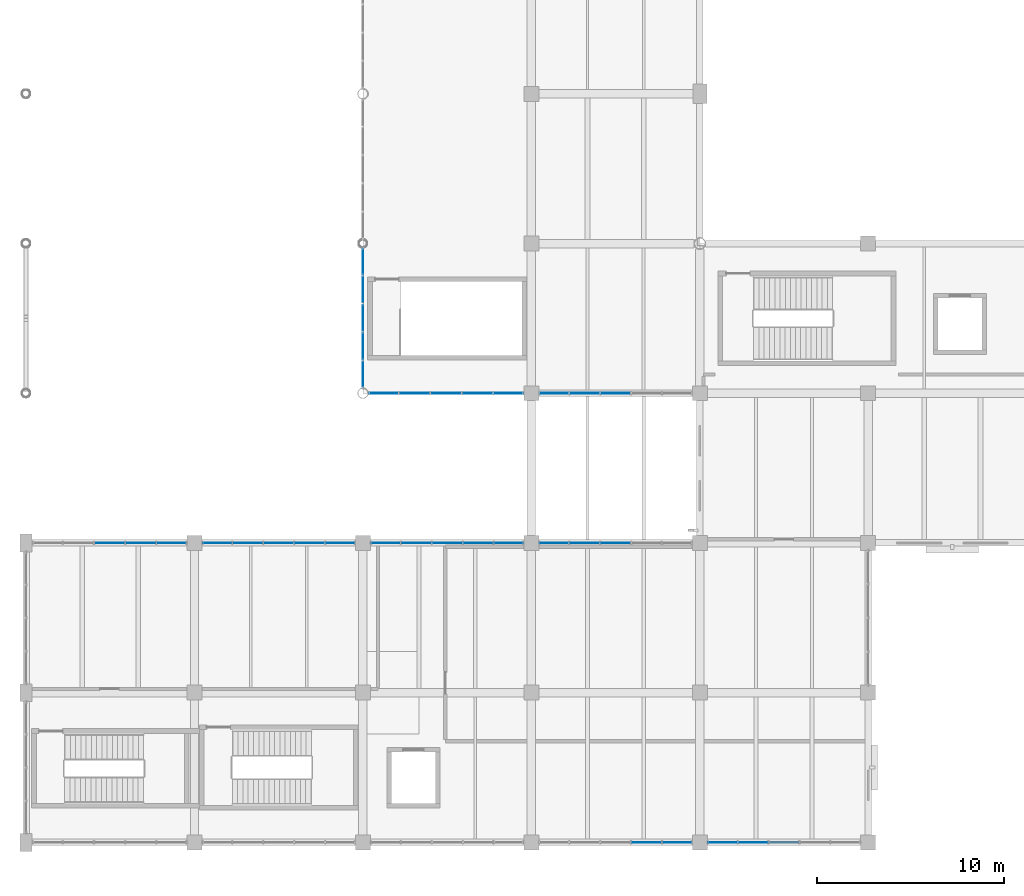
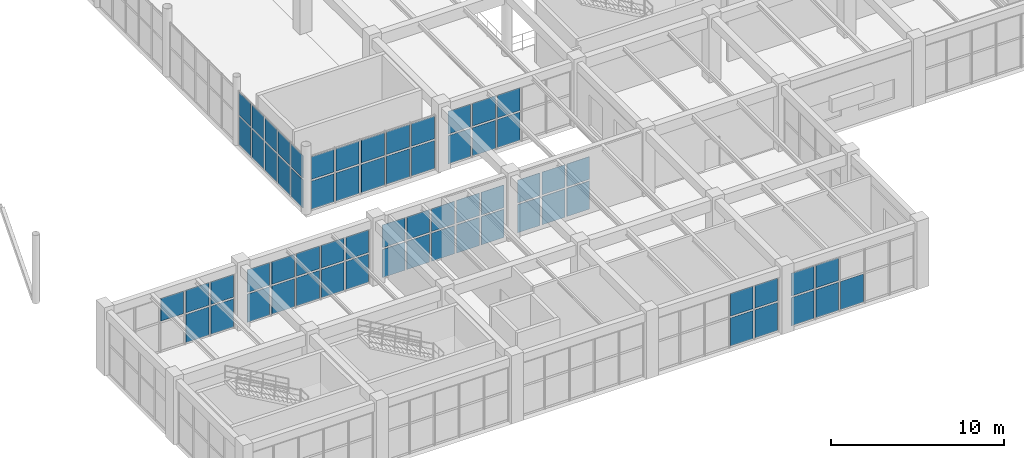
# One storey, part 139 of 178: 66 plates, 9 elements without a shape of their own.
"""IFC4 building model written with IfcOpenShell, lengths in metres."""

from ifc_helpers import new_model, si_unit, derived_unit, direction, frame, origin, origin_2d, place, context, subcontext, project, spatial, rectangle, extrude, material, layer, layer_set, type_object, element, aggregate, save


model = new_model("IFC4")

# Units and contexts
model_context = context("Model", 3, precision=1e-05, world=origin(), true_north=direction((0.0, 1.0)))
body_context = subcontext(model_context, "Body", "Model", "MODEL_VIEW")
ifc_project = project(units=[si_unit("LENGTHUNIT", "METRE"), si_unit("AREAUNIT", "SQUARE_METRE"), si_unit("VOLUMEUNIT", "CUBIC_METRE"), si_unit("PLANEANGLEUNIT", "RADIAN"), si_unit("MASSUNIT", "GRAM", prefix="KILO"), derived_unit("THERMALTRANSMITTANCEUNIT", [(si_unit("MASSUNIT", "GRAM", prefix="KILO"), 1), (si_unit("TIMEUNIT", "SECOND"), -3), (si_unit("THERMODYNAMICTEMPERATUREUNIT", "KELVIN"), -1)])], contexts=[model_context])

# Site, building, storey
site_placement = place(None, origin())
site = spatial("IfcSite", under=ifc_project, at=site_placement, CompositionType="ELEMENT")
building_placement = place(site_placement, origin())
building = spatial("IfcBuilding", under=site, at=building_placement, Name="Zhenchuan Archway Interchange", CompositionType="ELEMENT")
storey_placement = place(building_placement, frame((0.0, 0.0, 5.39990234375)))
storey = spatial("IfcBuildingStorey", under=building, at=storey_placement, Name="L01", CompositionType="ELEMENT", Elevation=5.39990234375)

# Curtain wall, plates
ifc_material_1 = material(Name="Anodised Aluminium", Category="aluminium")
curtain_wall_type_1 = type_object("IfcCurtainWallType", Name="CW_UNIT_4", PredefinedType="NOTDEFINED", material=ifc_material_1)
curtain_wall_1_placement = place(storey_placement, origin())
curtain_wall_1 = element("IfcCurtainWall", 1, at=curtain_wall_1_placement, inside=storey, type_object=curtain_wall_type_1, Name="Unitised curtain wall CW:L01:027", PredefinedType="NOTDEFINED")
ifc_material_2 = material(Name="Double Low-E Insulated Glazing", Category="glass")
ifc_layer_1 = layer(ifc_material_2, 0.028076171875)
ifc_layer_set_1 = layer_set([ifc_layer_1], Name="Double Low-E Insulated Glazing")
plate_type_1 = type_object("IfcPlateType", Name="CW_GLZ_1", PredefinedType="CURTAIN_PANEL", material=ifc_layer_set_1)
plate_1_placement = place(storey_placement, frame((31.5, 24.0, 0.080078125), z_axis=(0.0, 0.0, 1.0), x_axis=(-1.0, 0.0, 0.0)))
plate_1 = element("IfcPlate", 2, at=plate_1_placement, type_object=plate_type_1, Name="CW:L01:027 lower glazing panel 2", PredefinedType="CURTAIN_PANEL", context=body_context, shape_type="SweptSolid", body=[
    extrude(rectangle(XDim=1.5126953125, YDim=0.028076171875, at=origin_2d()), origin(), (0.0, 0.0, 1.0), 1.98291015625),
])
plate_2_placement = place(storey_placement, frame((29.84716796875, 24.0, 0.080078125), z_axis=(0.0, 0.0, 1.0), x_axis=(-1.0, 0.0, 0.0)))
plate_2 = element("IfcPlate", 3, at=plate_2_placement, type_object=plate_type_1, Name="CW:L01:027 lower glazing panel 3", PredefinedType="CURTAIN_PANEL", context=body_context, shape_type="SweptSolid", body=[
    extrude(rectangle(XDim=1.5126953125, YDim=0.028076171875, at=origin_2d()), origin(), (0.0, 0.0, 1.0), 1.98291015625),
])
plate_3_placement = place(storey_placement, frame((28.204345703125, 24.0, 0.080078125), z_axis=(0.0, 0.0, 1.0), x_axis=(-1.0, 0.0, 0.0)))
plate_3 = element("IfcPlate", 4, at=plate_3_placement, type_object=plate_type_1, Name="CW:L01:027 lower glazing panel 4", PredefinedType="CURTAIN_PANEL", context=body_context, shape_type="SweptSolid", body=[
    extrude(rectangle(XDim=1.492919921875, YDim=0.028076171875, at=origin_2d()), origin(), (0.0, 0.0, 1.0), 1.98291015625),
])

curtain_wall_type_2 = type_object("IfcCurtainWallType", Name="CW_UNIT_1", PredefinedType="NOTDEFINED", material=ifc_material_1)
curtain_wall_2_placement = place(storey_placement, origin())
curtain_wall_2 = element("IfcCurtainWall", 5, at=curtain_wall_2_placement, inside=storey, type_object=curtain_wall_type_2, Name="Unitised curtain wall CW:L01:028", PredefinedType="NOTDEFINED")
plate_4_placement = place(storey_placement, frame((25.783447265625, 24.0, 0.080078125), z_axis=(0.0, 0.0, 1.0), x_axis=(-1.0, 0.0, 0.0)))
plate_4 = element("IfcPlate", 6, at=plate_4_placement, type_object=plate_type_1, Name="CW:L01:028 lower glazing panel 0", PredefinedType="CURTAIN_PANEL", context=body_context, shape_type="SweptSolid", body=[
    extrude(rectangle(XDim=1.51708984375, YDim=0.028076171875, at=origin_2d()), origin(), (0.0, 0.0, 1.0), 1.98291015625),
])
plate_5_placement = place(storey_placement, frame((24.116455078125, 24.0, 0.080078125), z_axis=(0.0, 0.0, 1.0), x_axis=(-1.0, 0.0, 0.0)))
plate_5 = element("IfcPlate", 7, at=plate_5_placement, type_object=plate_type_1, Name="CW:L01:028 lower glazing panel 1", PredefinedType="CURTAIN_PANEL", context=body_context, shape_type="SweptSolid", body=[
    extrude(rectangle(XDim=1.537109375, YDim=0.028076171875, at=origin_2d()), origin(), (0.0, 0.0, 1.0), 1.98291015625),
])
plate_6_placement = place(storey_placement, frame((22.439208984375, 24.0, 0.080078125), z_axis=(0.0, 0.0, 1.0), x_axis=(-1.0, 0.0, 0.0)))
plate_6 = element("IfcPlate", 8, at=plate_6_placement, type_object=plate_type_1, Name="CW:L01:028 lower glazing panel 2", PredefinedType="CURTAIN_PANEL", context=body_context, shape_type="SweptSolid", body=[
    extrude(rectangle(XDim=1.537109375, YDim=0.028076171875, at=origin_2d()), origin(), (0.0, 0.0, 1.0), 1.98291015625),
])
plate_7_placement = place(storey_placement, frame((20.76220703125, 24.0, 0.080078125), z_axis=(0.0, 0.0, 1.0), x_axis=(-1.0, 0.0, 0.0)))
plate_7 = element("IfcPlate", 9, at=plate_7_placement, type_object=plate_type_1, Name="CW:L01:028 lower glazing panel 3", PredefinedType="CURTAIN_PANEL", context=body_context, shape_type="SweptSolid", body=[
    extrude(rectangle(XDim=1.537109375, YDim=0.028076171875, at=origin_2d()), origin(), (0.0, 0.0, 1.0), 1.98291015625),
])
plate_8_placement = place(storey_placement, frame((19.09521484375, 24.0, 0.080078125), z_axis=(0.0, 0.0, 1.0), x_axis=(-1.0, 0.0, 0.0)))
plate_8 = element("IfcPlate", 10, at=plate_8_placement, type_object=plate_type_1, Name="CW:L01:028 lower glazing panel 4", PredefinedType="CURTAIN_PANEL", context=body_context, shape_type="SweptSolid", body=[
    extrude(rectangle(XDim=1.51708984375, YDim=0.028076171875, at=origin_2d()), origin(), (0.0, 0.0, 1.0), 1.98291015625),
])

curtain_wall_type_3 = type_object("IfcCurtainWallType", Name="CW_UNIT_2", PredefinedType="NOTDEFINED", material=ifc_material_1)
curtain_wall_3_placement = place(storey_placement, origin())
curtain_wall_3 = element("IfcCurtainWall", 11, at=curtain_wall_3_placement, inside=storey, type_object=curtain_wall_type_3, Name="Unitised curtain wall CW:L01:029", PredefinedType="NOTDEFINED")
plate_9_placement = place(storey_placement, frame((18.0, 25.01220703125, 0.080078125), z_axis=(0.0, 0.0, 1.0), x_axis=(0.0, 1.0, 0.0)))
plate_9 = element("IfcPlate", 12, at=plate_9_placement, type_object=plate_type_1, Name="CW:L01:029 lower glazing panel 0", PredefinedType="CURTAIN_PANEL", context=body_context, shape_type="SweptSolid", body=[
    extrude(rectangle(XDim=1.3515625, YDim=0.028076171875, at=origin_2d()), origin(), (0.0, 0.0, 1.0), 1.98291015625),
])
plate_10_placement = place(storey_placement, frame((18.0, 26.513916015625, 0.080078125), z_axis=(0.0, 0.0, 1.0), x_axis=(0.0, 1.0, 0.0)))
plate_10 = element("IfcPlate", 13, at=plate_10_placement, type_object=plate_type_1, Name="CW:L01:029 lower glazing panel 1", PredefinedType="CURTAIN_PANEL", context=body_context, shape_type="SweptSolid", body=[
    extrude(rectangle(XDim=1.37158203125, YDim=0.028076171875, at=origin_2d()), origin(), (0.0, 0.0, 1.0), 1.98291015625),
])
plate_11_placement = place(storey_placement, frame((18.0, 28.025390625, 0.080078125), z_axis=(0.0, 0.0, 1.0), x_axis=(0.0, 1.0, 0.0)))
plate_11 = element("IfcPlate", 14, at=plate_11_placement, type_object=plate_type_1, Name="CW:L01:029 lower glazing panel 2", PredefinedType="CURTAIN_PANEL", context=body_context, shape_type="SweptSolid", body=[
    extrude(rectangle(XDim=1.37158203125, YDim=0.028076171875, at=origin_2d()), origin(), (0.0, 0.0, 1.0), 1.98291015625),
])
plate_12_placement = place(storey_placement, frame((18.0, 29.537109375, 0.080078125), z_axis=(0.0, 0.0, 1.0), x_axis=(0.0, 1.0, 0.0)))
plate_12 = element("IfcPlate", 15, at=plate_12_placement, type_object=plate_type_1, Name="CW:L01:029 lower glazing panel 3", PredefinedType="CURTAIN_PANEL", context=body_context, shape_type="SweptSolid", body=[
    extrude(rectangle(XDim=1.37158203125, YDim=0.028076171875, at=origin_2d()), origin(), (0.0, 0.0, 1.0), 1.98291015625),
])
plate_13_placement = place(storey_placement, frame((18.0, 31.038818359375, 0.080078125), z_axis=(0.0, 0.0, 1.0), x_axis=(0.0, 1.0, 0.0)))
plate_13 = element("IfcPlate", 16, at=plate_13_placement, type_object=plate_type_1, Name="CW:L01:029 lower glazing panel 4", PredefinedType="CURTAIN_PANEL", context=body_context, shape_type="SweptSolid", body=[
    extrude(rectangle(XDim=1.3515625, YDim=0.028076171875, at=origin_2d()), origin(), (0.0, 0.0, 1.0), 1.98291015625),
])

curtain_wall_type_4 = type_object("IfcCurtainWallType", Name="CW_UNIT_3", PredefinedType="NOTDEFINED", material=ifc_material_1)
curtain_wall_4_placement = place(storey_placement, origin())
curtain_wall_4 = element("IfcCurtainWall", 17, at=curtain_wall_4_placement, inside=storey, type_object=curtain_wall_type_4, Name="Unitised curtain wall CW:L01:082", PredefinedType="NOTDEFINED")
plate_14_placement = place(storey_placement, frame((40.5, 0.0, 0.080078125), z_axis=(0.0, 0.0, 1.0), x_axis=(-1.0, 0.0, 0.0)))
plate_14 = element("IfcPlate", 18, at=plate_14_placement, type_object=plate_type_1, Name="CW:L01:082 lower glazing panel 2", PredefinedType="CURTAIN_PANEL", context=body_context, shape_type="SweptSolid", body=[
    extrude(rectangle(XDim=1.5126953125, YDim=0.028076171875, at=origin_2d()), origin(), (0.0, 0.0, 1.0), 1.98291015625),
])
plate_15_placement = place(storey_placement, frame((38.84716796875, 0.0, 0.080078125), z_axis=(0.0, 0.0, 1.0), x_axis=(-1.0, 0.0, 0.0)))
plate_15 = element("IfcPlate", 19, at=plate_15_placement, type_object=plate_type_1, Name="CW:L01:082 lower glazing panel 3", PredefinedType="CURTAIN_PANEL", context=body_context, shape_type="SweptSolid", body=[
    extrude(rectangle(XDim=1.5126953125, YDim=0.028076171875, at=origin_2d()), origin(), (0.0, 0.0, 1.0), 1.98291015625),
])
plate_16_placement = place(storey_placement, frame((37.204345703125, 0.0, 0.080078125), z_axis=(0.0, 0.0, 1.0), x_axis=(-1.0, 0.0, 0.0)))
plate_16 = element("IfcPlate", 20, at=plate_16_placement, type_object=plate_type_1, Name="CW:L01:082 lower glazing panel 4", PredefinedType="CURTAIN_PANEL", context=body_context, shape_type="SweptSolid", body=[
    extrude(rectangle(XDim=1.492919921875, YDim=0.028076171875, at=origin_2d()), origin(), (0.0, 0.0, 1.0), 1.98291015625),
])

curtain_wall_5_placement = place(storey_placement, origin())
curtain_wall_5 = element("IfcCurtainWall", 21, at=curtain_wall_5_placement, inside=storey, type_object=curtain_wall_type_1, Name="Unitised curtain wall CW:L01:083", PredefinedType="NOTDEFINED")
plate_17_placement = place(storey_placement, frame((34.795654296875, 0.0, 0.080078125), z_axis=(0.0, 0.0, 1.0), x_axis=(-1.0, 0.0, 0.0)))
plate_17 = element("IfcPlate", 22, at=plate_17_placement, type_object=plate_type_1, Name="CW:L01:083 lower glazing panel 0", PredefinedType="CURTAIN_PANEL", context=body_context, shape_type="SweptSolid", body=[
    extrude(rectangle(XDim=1.492919921875, YDim=0.028076171875, at=origin_2d()), origin(), (0.0, 0.0, 1.0), 1.98291015625),
])
plate_18_placement = place(storey_placement, frame((33.15283203125, 0.0, 0.080078125), z_axis=(0.0, 0.0, 1.0), x_axis=(-1.0, 0.0, 0.0)))
plate_18 = element("IfcPlate", 23, at=plate_18_placement, type_object=plate_type_1, Name="CW:L01:083 lower glazing panel 1", PredefinedType="CURTAIN_PANEL", context=body_context, shape_type="SweptSolid", body=[
    extrude(rectangle(XDim=1.5126953125, YDim=0.028076171875, at=origin_2d()), origin(), (0.0, 0.0, 1.0), 1.98291015625),
])

curtain_wall_6_placement = place(storey_placement, origin())
curtain_wall_6 = element("IfcCurtainWall", 24, at=curtain_wall_6_placement, inside=storey, type_object=curtain_wall_type_3, Name="Unitised curtain wall CW:L01:089", PredefinedType="NOTDEFINED")
plate_19_placement = place(storey_placement, frame((6.13037109375, 16.0, 0.080078125), z_axis=(0.0, 0.0, 1.0), x_axis=(1.0, 0.0, 0.0)))
plate_19 = element("IfcPlate", 25, at=plate_19_placement, type_object=plate_type_1, Name="CW:L01:089 lower glazing panel 3", PredefinedType="CURTAIN_PANEL", context=body_context, shape_type="SweptSolid", body=[
    extrude(rectangle(XDim=1.52783203125, YDim=0.028076171875, at=origin_2d()), origin(), (0.0, 0.0, 1.0), 1.98291015625),
])
plate_20_placement = place(storey_placement, frame((7.7880859375, 16.0, 0.080078125), z_axis=(0.0, 0.0, 1.0), x_axis=(1.0, 0.0, 0.0)))
plate_20 = element("IfcPlate", 26, at=plate_20_placement, type_object=plate_type_1, Name="CW:L01:089 lower glazing panel 4", PredefinedType="CURTAIN_PANEL", context=body_context, shape_type="SweptSolid", body=[
    extrude(rectangle(XDim=1.5078125, YDim=0.028076171875, at=origin_2d()), origin(), (0.0, 0.0, 1.0), 1.98291015625),
])

curtain_wall_7_placement = place(storey_placement, origin())
curtain_wall_7 = element("IfcCurtainWall", 27, at=curtain_wall_7_placement, inside=storey, type_object=curtain_wall_type_4, Name="Unitised curtain wall CW:L01:090", PredefinedType="NOTDEFINED")
plate_21_placement = place(storey_placement, frame((10.204345703125, 16.0, 0.080078125), z_axis=(0.0, 0.0, 1.0), x_axis=(1.0, 0.0, 0.0)))
plate_21 = element("IfcPlate", 28, at=plate_21_placement, type_object=plate_type_1, Name="CW:L01:090 lower glazing panel 0", PredefinedType="CURTAIN_PANEL", context=body_context, shape_type="SweptSolid", body=[
    extrude(rectangle(XDim=1.492919921875, YDim=0.028076171875, at=origin_2d()), origin(), (0.0, 0.0, 1.0), 1.98291015625),
])
plate_22_placement = place(storey_placement, frame((11.84716796875, 16.0, 0.080078125), z_axis=(0.0, 0.0, 1.0), x_axis=(1.0, 0.0, 0.0)))
plate_22 = element("IfcPlate", 29, at=plate_22_placement, type_object=plate_type_1, Name="CW:L01:090 lower glazing panel 1", PredefinedType="CURTAIN_PANEL", context=body_context, shape_type="SweptSolid", body=[
    extrude(rectangle(XDim=1.5126953125, YDim=0.028076171875, at=origin_2d()), origin(), (0.0, 0.0, 1.0), 1.98291015625),
])
plate_23_placement = place(storey_placement, frame((13.5, 16.0, 0.080078125), z_axis=(0.0, 0.0, 1.0), x_axis=(1.0, 0.0, 0.0)))
plate_23 = element("IfcPlate", 30, at=plate_23_placement, type_object=plate_type_1, Name="CW:L01:090 lower glazing panel 2", PredefinedType="CURTAIN_PANEL", context=body_context, shape_type="SweptSolid", body=[
    extrude(rectangle(XDim=1.5126953125, YDim=0.028076171875, at=origin_2d()), origin(), (0.0, 0.0, 1.0), 1.98291015625),
])
plate_24_placement = place(storey_placement, frame((15.15283203125, 16.0, 0.080078125), z_axis=(0.0, 0.0, 1.0), x_axis=(1.0, 0.0, 0.0)))
plate_24 = element("IfcPlate", 31, at=plate_24_placement, type_object=plate_type_1, Name="CW:L01:090 lower glazing panel 3", PredefinedType="CURTAIN_PANEL", context=body_context, shape_type="SweptSolid", body=[
    extrude(rectangle(XDim=1.5126953125, YDim=0.028076171875, at=origin_2d()), origin(), (0.0, 0.0, 1.0), 1.98291015625),
])
plate_25_placement = place(storey_placement, frame((16.795654296875, 16.0, 0.080078125), z_axis=(0.0, 0.0, 1.0), x_axis=(1.0, 0.0, 0.0)))
plate_25 = element("IfcPlate", 32, at=plate_25_placement, type_object=plate_type_1, Name="CW:L01:090 lower glazing panel 4", PredefinedType="CURTAIN_PANEL", context=body_context, shape_type="SweptSolid", body=[
    extrude(rectangle(XDim=1.492919921875, YDim=0.028076171875, at=origin_2d()), origin(), (0.0, 0.0, 1.0), 1.98291015625),
])

curtain_wall_8_placement = place(storey_placement, origin())
curtain_wall_8 = element("IfcCurtainWall", 33, at=curtain_wall_8_placement, inside=storey, type_object=curtain_wall_type_1, Name="Unitised curtain wall CW:L01:091", PredefinedType="NOTDEFINED")
plate_26_placement = place(storey_placement, frame((19.204345703125, 16.0, 0.080078125), z_axis=(0.0, 0.0, 1.0), x_axis=(1.0, 0.0, 0.0)))
plate_26 = element("IfcPlate", 34, at=plate_26_placement, type_object=plate_type_1, Name="CW:L01:091 lower glazing panel 0", PredefinedType="CURTAIN_PANEL", context=body_context, shape_type="SweptSolid", body=[
    extrude(rectangle(XDim=1.492919921875, YDim=0.028076171875, at=origin_2d()), origin(), (0.0, 0.0, 1.0), 1.98291015625),
])
plate_27_placement = place(storey_placement, frame((20.84716796875, 16.0, 0.080078125), z_axis=(0.0, 0.0, 1.0), x_axis=(1.0, 0.0, 0.0)))
plate_27 = element("IfcPlate", 35, at=plate_27_placement, type_object=plate_type_1, Name="CW:L01:091 lower glazing panel 1", PredefinedType="CURTAIN_PANEL", context=body_context, shape_type="SweptSolid", body=[
    extrude(rectangle(XDim=1.5126953125, YDim=0.028076171875, at=origin_2d()), origin(), (0.0, 0.0, 1.0), 1.98291015625),
])
plate_28_placement = place(storey_placement, frame((22.5, 16.0, 0.080078125), z_axis=(0.0, 0.0, 1.0), x_axis=(1.0, 0.0, 0.0)))
plate_28 = element("IfcPlate", 36, at=plate_28_placement, type_object=plate_type_1, Name="CW:L01:091 lower glazing panel 2", PredefinedType="CURTAIN_PANEL", context=body_context, shape_type="SweptSolid", body=[
    extrude(rectangle(XDim=1.5126953125, YDim=0.028076171875, at=origin_2d()), origin(), (0.0, 0.0, 1.0), 1.98291015625),
])
plate_29_placement = place(storey_placement, frame((24.15283203125, 16.0, 0.080078125), z_axis=(0.0, 0.0, 1.0), x_axis=(1.0, 0.0, 0.0)))
plate_29 = element("IfcPlate", 37, at=plate_29_placement, type_object=plate_type_1, Name="CW:L01:091 lower glazing panel 3", PredefinedType="CURTAIN_PANEL", context=body_context, shape_type="SweptSolid", body=[
    extrude(rectangle(XDim=1.5126953125, YDim=0.028076171875, at=origin_2d()), origin(), (0.0, 0.0, 1.0), 1.98291015625),
])
plate_30_placement = place(storey_placement, frame((25.795654296875, 16.0, 0.080078125), z_axis=(0.0, 0.0, 1.0), x_axis=(1.0, 0.0, 0.0)))
plate_30 = element("IfcPlate", 38, at=plate_30_placement, type_object=plate_type_1, Name="CW:L01:091 lower glazing panel 4", PredefinedType="CURTAIN_PANEL", context=body_context, shape_type="SweptSolid", body=[
    extrude(rectangle(XDim=1.492919921875, YDim=0.028076171875, at=origin_2d()), origin(), (0.0, 0.0, 1.0), 1.98291015625),
])

curtain_wall_9_placement = place(storey_placement, origin())
curtain_wall_9 = element("IfcCurtainWall", 39, at=curtain_wall_9_placement, inside=storey, type_object=curtain_wall_type_2, Name="Unitised curtain wall CW:L01:092", PredefinedType="NOTDEFINED")
plate_31_placement = place(storey_placement, frame((28.204345703125, 16.0, 0.080078125), z_axis=(0.0, 0.0, 1.0), x_axis=(1.0, 0.0, 0.0)))
plate_31 = element("IfcPlate", 40, at=plate_31_placement, type_object=plate_type_1, Name="CW:L01:092 lower glazing panel 0", PredefinedType="CURTAIN_PANEL", context=body_context, shape_type="SweptSolid", body=[
    extrude(rectangle(XDim=1.492919921875, YDim=0.028076171875, at=origin_2d()), origin(), (0.0, 0.0, 1.0), 1.98291015625),
])
plate_32_placement = place(storey_placement, frame((29.84716796875, 16.0, 0.080078125), z_axis=(0.0, 0.0, 1.0), x_axis=(1.0, 0.0, 0.0)))
plate_32 = element("IfcPlate", 41, at=plate_32_placement, type_object=plate_type_1, Name="CW:L01:092 lower glazing panel 1", PredefinedType="CURTAIN_PANEL", context=body_context, shape_type="SweptSolid", body=[
    extrude(rectangle(XDim=1.5126953125, YDim=0.028076171875, at=origin_2d()), origin(), (0.0, 0.0, 1.0), 1.98291015625),
])
plate_33_placement = place(storey_placement, frame((31.5, 16.0, 0.080078125), z_axis=(0.0, 0.0, 1.0), x_axis=(1.0, 0.0, 0.0)))
plate_33 = element("IfcPlate", 42, at=plate_33_placement, type_object=plate_type_1, Name="CW:L01:092 lower glazing panel 2", PredefinedType="CURTAIN_PANEL", context=body_context, shape_type="SweptSolid", body=[
    extrude(rectangle(XDim=1.5126953125, YDim=0.028076171875, at=origin_2d()), origin(), (0.0, 0.0, 1.0), 1.98291015625),
])

# Plate
ifc_layer_2 = layer(ifc_material_2, 0.02587890625)
ifc_layer_set_2 = layer_set([ifc_layer_2], Name="Double Low-E Insulated Glazing")
plate_type_2 = type_object("IfcPlateType", Name="CW_GLZ_2", PredefinedType="CURTAIN_PANEL", material=ifc_layer_set_2)
plate_34_placement = place(storey_placement, frame((31.5, 24.0, 2.18310546875), z_axis=(0.0, 0.0, 1.0), x_axis=(-1.0, 0.0, 0.0)))
plate_34 = element("IfcPlate", 43, at=plate_34_placement, type_object=plate_type_2, Name="CW:L01:027 upper glazing panel 2", PredefinedType="CURTAIN_PANEL", context=body_context, shape_type="SweptSolid", body=[
    extrude(rectangle(XDim=1.5126953125, YDim=0.02587890625, at=origin_2d()), origin(), (0.0, 0.0, 1.0), 1.596923828125),
])

plate_35_placement = place(storey_placement, frame((29.84716796875, 24.0, 2.18310546875), z_axis=(0.0, 0.0, 1.0), x_axis=(-1.0, 0.0, 0.0)))
plate_35 = element("IfcPlate", 44, at=plate_35_placement, type_object=plate_type_2, Name="CW:L01:027 upper glazing panel 3", PredefinedType="CURTAIN_PANEL", context=body_context, shape_type="SweptSolid", body=[
    extrude(rectangle(XDim=1.5126953125, YDim=0.02587890625, at=origin_2d()), origin(), (0.0, 0.0, 1.0), 1.596923828125),
])

plate_36_placement = place(storey_placement, frame((28.204345703125, 24.0, 2.18310546875), z_axis=(0.0, 0.0, 1.0), x_axis=(-1.0, 0.0, 0.0)))
plate_36 = element("IfcPlate", 45, at=plate_36_placement, type_object=plate_type_2, Name="CW:L01:027 upper glazing panel 4", PredefinedType="CURTAIN_PANEL", context=body_context, shape_type="SweptSolid", body=[
    extrude(rectangle(XDim=1.492919921875, YDim=0.02587890625, at=origin_2d()), origin(), (0.0, 0.0, 1.0), 1.596923828125),
])

aggregate(curtain_wall_1, [plate_1, plate_34, plate_2, plate_35, plate_3, plate_36])

plate_37_placement = place(storey_placement, frame((25.783447265625, 24.0, 2.18310546875), z_axis=(0.0, 0.0, 1.0), x_axis=(-1.0, 0.0, 0.0)))
plate_37 = element("IfcPlate", 46, at=plate_37_placement, type_object=plate_type_2, Name="CW:L01:028 upper glazing panel 0", PredefinedType="CURTAIN_PANEL", context=body_context, shape_type="SweptSolid", body=[
    extrude(rectangle(XDim=1.51708984375, YDim=0.02587890625, at=origin_2d()), origin(), (0.0, 0.0, 1.0), 1.596923828125),
])

plate_38_placement = place(storey_placement, frame((24.116455078125, 24.0, 2.18310546875), z_axis=(0.0, 0.0, 1.0), x_axis=(-1.0, 0.0, 0.0)))
plate_38 = element("IfcPlate", 47, at=plate_38_placement, type_object=plate_type_2, Name="CW:L01:028 upper glazing panel 1", PredefinedType="CURTAIN_PANEL", context=body_context, shape_type="SweptSolid", body=[
    extrude(rectangle(XDim=1.537109375, YDim=0.02587890625, at=origin_2d()), origin(), (0.0, 0.0, 1.0), 1.596923828125),
])

plate_39_placement = place(storey_placement, frame((22.439208984375, 24.0, 2.18310546875), z_axis=(0.0, 0.0, 1.0), x_axis=(-1.0, 0.0, 0.0)))
plate_39 = element("IfcPlate", 48, at=plate_39_placement, type_object=plate_type_2, Name="CW:L01:028 upper glazing panel 2", PredefinedType="CURTAIN_PANEL", context=body_context, shape_type="SweptSolid", body=[
    extrude(rectangle(XDim=1.537109375, YDim=0.02587890625, at=origin_2d()), origin(), (0.0, 0.0, 1.0), 1.596923828125),
])

plate_40_placement = place(storey_placement, frame((20.76220703125, 24.0, 2.18310546875), z_axis=(0.0, 0.0, 1.0), x_axis=(-1.0, 0.0, 0.0)))
plate_40 = element("IfcPlate", 49, at=plate_40_placement, type_object=plate_type_2, Name="CW:L01:028 upper glazing panel 3", PredefinedType="CURTAIN_PANEL", context=body_context, shape_type="SweptSolid", body=[
    extrude(rectangle(XDim=1.537109375, YDim=0.02587890625, at=origin_2d()), origin(), (0.0, 0.0, 1.0), 1.596923828125),
])

plate_41_placement = place(storey_placement, frame((19.09521484375, 24.0, 2.18310546875), z_axis=(0.0, 0.0, 1.0), x_axis=(-1.0, 0.0, 0.0)))
plate_41 = element("IfcPlate", 50, at=plate_41_placement, type_object=plate_type_2, Name="CW:L01:028 upper glazing panel 4", PredefinedType="CURTAIN_PANEL", context=body_context, shape_type="SweptSolid", body=[
    extrude(rectangle(XDim=1.51708984375, YDim=0.02587890625, at=origin_2d()), origin(), (0.0, 0.0, 1.0), 1.596923828125),
])

aggregate(curtain_wall_2, [plate_4, plate_37, plate_5, plate_38, plate_6, plate_39, plate_7, plate_40, plate_8, plate_41])

plate_42_placement = place(storey_placement, frame((18.0, 25.01220703125, 2.18310546875), z_axis=(0.0, 0.0, 1.0), x_axis=(0.0, 1.0, 0.0)))
plate_42 = element("IfcPlate", 51, at=plate_42_placement, type_object=plate_type_2, Name="CW:L01:029 upper glazing panel 0", PredefinedType="CURTAIN_PANEL", context=body_context, shape_type="SweptSolid", body=[
    extrude(rectangle(XDim=1.3515625, YDim=0.02587890625, at=origin_2d()), origin(), (0.0, 0.0, 1.0), 1.596923828125),
])

plate_43_placement = place(storey_placement, frame((18.0, 26.513916015625, 2.18310546875), z_axis=(0.0, 0.0, 1.0), x_axis=(0.0, 1.0, 0.0)))
plate_43 = element("IfcPlate", 52, at=plate_43_placement, type_object=plate_type_2, Name="CW:L01:029 upper glazing panel 1", PredefinedType="CURTAIN_PANEL", context=body_context, shape_type="SweptSolid", body=[
    extrude(rectangle(XDim=1.37158203125, YDim=0.02587890625, at=origin_2d()), origin(), (0.0, 0.0, 1.0), 1.596923828125),
])

plate_44_placement = place(storey_placement, frame((18.0, 28.025390625, 2.18310546875), z_axis=(0.0, 0.0, 1.0), x_axis=(0.0, 1.0, 0.0)))
plate_44 = element("IfcPlate", 53, at=plate_44_placement, type_object=plate_type_2, Name="CW:L01:029 upper glazing panel 2", PredefinedType="CURTAIN_PANEL", context=body_context, shape_type="SweptSolid", body=[
    extrude(rectangle(XDim=1.37158203125, YDim=0.02587890625, at=origin_2d()), origin(), (0.0, 0.0, 1.0), 1.596923828125),
])

plate_45_placement = place(storey_placement, frame((18.0, 29.537109375, 2.18310546875), z_axis=(0.0, 0.0, 1.0), x_axis=(0.0, 1.0, 0.0)))
plate_45 = element("IfcPlate", 54, at=plate_45_placement, type_object=plate_type_2, Name="CW:L01:029 upper glazing panel 3", PredefinedType="CURTAIN_PANEL", context=body_context, shape_type="SweptSolid", body=[
    extrude(rectangle(XDim=1.37158203125, YDim=0.02587890625, at=origin_2d()), origin(), (0.0, 0.0, 1.0), 1.596923828125),
])

plate_46_placement = place(storey_placement, frame((18.0, 31.038818359375, 2.18310546875), z_axis=(0.0, 0.0, 1.0), x_axis=(0.0, 1.0, 0.0)))
plate_46 = element("IfcPlate", 55, at=plate_46_placement, type_object=plate_type_2, Name="CW:L01:029 upper glazing panel 4", PredefinedType="CURTAIN_PANEL", context=body_context, shape_type="SweptSolid", body=[
    extrude(rectangle(XDim=1.3515625, YDim=0.02587890625, at=origin_2d()), origin(), (0.0, 0.0, 1.0), 1.596923828125),
])

aggregate(curtain_wall_3, [plate_9, plate_42, plate_10, plate_43, plate_11, plate_44, plate_12, plate_45, plate_13, plate_46])

plate_47_placement = place(storey_placement, frame((38.84716796875, 0.0, 2.18310546875), z_axis=(0.0, 0.0, 1.0), x_axis=(-1.0, 0.0, 0.0)))
plate_47 = element("IfcPlate", 56, at=plate_47_placement, type_object=plate_type_2, Name="CW:L01:082 upper glazing panel 3", PredefinedType="CURTAIN_PANEL", context=body_context, shape_type="SweptSolid", body=[
    extrude(rectangle(XDim=1.5126953125, YDim=0.02587890625, at=origin_2d()), origin(), (0.0, 0.0, 1.0), 1.596923828125),
])

plate_48_placement = place(storey_placement, frame((37.204345703125, 0.0, 2.18310546875), z_axis=(0.0, 0.0, 1.0), x_axis=(-1.0, 0.0, 0.0)))
plate_48 = element("IfcPlate", 57, at=plate_48_placement, type_object=plate_type_2, Name="CW:L01:082 upper glazing panel 4", PredefinedType="CURTAIN_PANEL", context=body_context, shape_type="SweptSolid", body=[
    extrude(rectangle(XDim=1.492919921875, YDim=0.02587890625, at=origin_2d()), origin(), (0.0, 0.0, 1.0), 1.596923828125),
])

aggregate(curtain_wall_4, [plate_14, plate_15, plate_47, plate_16, plate_48])

plate_49_placement = place(storey_placement, frame((34.795654296875, 0.0, 2.18310546875), z_axis=(0.0, 0.0, 1.0), x_axis=(-1.0, 0.0, 0.0)))
plate_49 = element("IfcPlate", 58, at=plate_49_placement, type_object=plate_type_2, Name="CW:L01:083 upper glazing panel 0", PredefinedType="CURTAIN_PANEL", context=body_context, shape_type="SweptSolid", body=[
    extrude(rectangle(XDim=1.492919921875, YDim=0.02587890625, at=origin_2d()), origin(), (0.0, 0.0, 1.0), 1.596923828125),
])

plate_50_placement = place(storey_placement, frame((33.15283203125, 0.0, 2.18310546875), z_axis=(0.0, 0.0, 1.0), x_axis=(-1.0, 0.0, 0.0)))
plate_50 = element("IfcPlate", 59, at=plate_50_placement, type_object=plate_type_2, Name="CW:L01:083 upper glazing panel 1", PredefinedType="CURTAIN_PANEL", context=body_context, shape_type="SweptSolid", body=[
    extrude(rectangle(XDim=1.5126953125, YDim=0.02587890625, at=origin_2d()), origin(), (0.0, 0.0, 1.0), 1.596923828125),
])

aggregate(curtain_wall_5, [plate_17, plate_49, plate_18, plate_50])

plate_51_placement = place(storey_placement, frame((4.46240234375, 16.0, 2.18310546875), z_axis=(0.0, 0.0, 1.0), x_axis=(1.0, 0.0, 0.0)))
plate_51 = element("IfcPlate", 60, at=plate_51_placement, type_object=plate_type_2, Name="CW:L01:089 upper glazing panel 2", PredefinedType="CURTAIN_PANEL", context=body_context, shape_type="SweptSolid", body=[
    extrude(rectangle(XDim=1.52783203125, YDim=0.02587890625, at=origin_2d()), origin(), (0.0, 0.0, 1.0), 1.596923828125),
])

plate_52_placement = place(storey_placement, frame((6.13037109375, 16.0, 2.18310546875), z_axis=(0.0, 0.0, 1.0), x_axis=(1.0, 0.0, 0.0)))
plate_52 = element("IfcPlate", 61, at=plate_52_placement, type_object=plate_type_2, Name="CW:L01:089 upper glazing panel 3", PredefinedType="CURTAIN_PANEL", context=body_context, shape_type="SweptSolid", body=[
    extrude(rectangle(XDim=1.52783203125, YDim=0.02587890625, at=origin_2d()), origin(), (0.0, 0.0, 1.0), 1.596923828125),
])

plate_53_placement = place(storey_placement, frame((7.7880859375, 16.0, 2.18310546875), z_axis=(0.0, 0.0, 1.0), x_axis=(1.0, 0.0, 0.0)))
plate_53 = element("IfcPlate", 62, at=plate_53_placement, type_object=plate_type_2, Name="CW:L01:089 upper glazing panel 4", PredefinedType="CURTAIN_PANEL", context=body_context, shape_type="SweptSolid", body=[
    extrude(rectangle(XDim=1.5078125, YDim=0.02587890625, at=origin_2d()), origin(), (0.0, 0.0, 1.0), 1.596923828125),
])

aggregate(curtain_wall_6, [plate_51, plate_19, plate_52, plate_20, plate_53])

plate_54_placement = place(storey_placement, frame((10.204345703125, 16.0, 2.18310546875), z_axis=(0.0, 0.0, 1.0), x_axis=(1.0, 0.0, 0.0)))
plate_54 = element("IfcPlate", 63, at=plate_54_placement, type_object=plate_type_2, Name="CW:L01:090 upper glazing panel 0", PredefinedType="CURTAIN_PANEL", context=body_context, shape_type="SweptSolid", body=[
    extrude(rectangle(XDim=1.492919921875, YDim=0.02587890625, at=origin_2d()), origin(), (0.0, 0.0, 1.0), 1.596923828125),
])

plate_55_placement = place(storey_placement, frame((11.84716796875, 16.0, 2.18310546875), z_axis=(0.0, 0.0, 1.0), x_axis=(1.0, 0.0, 0.0)))
plate_55 = element("IfcPlate", 64, at=plate_55_placement, type_object=plate_type_2, Name="CW:L01:090 upper glazing panel 1", PredefinedType="CURTAIN_PANEL", context=body_context, shape_type="SweptSolid", body=[
    extrude(rectangle(XDim=1.5126953125, YDim=0.02587890625, at=origin_2d()), origin(), (0.0, 0.0, 1.0), 1.596923828125),
])

plate_56_placement = place(storey_placement, frame((13.5, 16.0, 2.18310546875), z_axis=(0.0, 0.0, 1.0), x_axis=(1.0, 0.0, 0.0)))
plate_56 = element("IfcPlate", 65, at=plate_56_placement, type_object=plate_type_2, Name="CW:L01:090 upper glazing panel 2", PredefinedType="CURTAIN_PANEL", context=body_context, shape_type="SweptSolid", body=[
    extrude(rectangle(XDim=1.5126953125, YDim=0.02587890625, at=origin_2d()), origin(), (0.0, 0.0, 1.0), 1.596923828125),
])

plate_57_placement = place(storey_placement, frame((15.15283203125, 16.0, 2.18310546875), z_axis=(0.0, 0.0, 1.0), x_axis=(1.0, 0.0, 0.0)))
plate_57 = element("IfcPlate", 66, at=plate_57_placement, type_object=plate_type_2, Name="CW:L01:090 upper glazing panel 3", PredefinedType="CURTAIN_PANEL", context=body_context, shape_type="SweptSolid", body=[
    extrude(rectangle(XDim=1.5126953125, YDim=0.02587890625, at=origin_2d()), origin(), (0.0, 0.0, 1.0), 1.596923828125),
])

plate_58_placement = place(storey_placement, frame((16.795654296875, 16.0, 2.18310546875), z_axis=(0.0, 0.0, 1.0), x_axis=(1.0, 0.0, 0.0)))
plate_58 = element("IfcPlate", 67, at=plate_58_placement, type_object=plate_type_2, Name="CW:L01:090 upper glazing panel 4", PredefinedType="CURTAIN_PANEL", context=body_context, shape_type="SweptSolid", body=[
    extrude(rectangle(XDim=1.492919921875, YDim=0.02587890625, at=origin_2d()), origin(), (0.0, 0.0, 1.0), 1.596923828125),
])

aggregate(curtain_wall_7, [plate_21, plate_54, plate_22, plate_55, plate_23, plate_56, plate_24, plate_57, plate_25, plate_58])

plate_59_placement = place(storey_placement, frame((19.204345703125, 16.0, 2.18310546875), z_axis=(0.0, 0.0, 1.0), x_axis=(1.0, 0.0, 0.0)))
plate_59 = element("IfcPlate", 68, at=plate_59_placement, type_object=plate_type_2, Name="CW:L01:091 upper glazing panel 0", PredefinedType="CURTAIN_PANEL", context=body_context, shape_type="SweptSolid", body=[
    extrude(rectangle(XDim=1.492919921875, YDim=0.02587890625, at=origin_2d()), origin(), (0.0, 0.0, 1.0), 1.596923828125),
])

plate_60_placement = place(storey_placement, frame((20.84716796875, 16.0, 2.18310546875), z_axis=(0.0, 0.0, 1.0), x_axis=(1.0, 0.0, 0.0)))
plate_60 = element("IfcPlate", 69, at=plate_60_placement, type_object=plate_type_2, Name="CW:L01:091 upper glazing panel 1", PredefinedType="CURTAIN_PANEL", context=body_context, shape_type="SweptSolid", body=[
    extrude(rectangle(XDim=1.5126953125, YDim=0.02587890625, at=origin_2d()), origin(), (0.0, 0.0, 1.0), 1.596923828125),
])

plate_61_placement = place(storey_placement, frame((22.5, 16.0, 2.18310546875), z_axis=(0.0, 0.0, 1.0), x_axis=(1.0, 0.0, 0.0)))
plate_61 = element("IfcPlate", 70, at=plate_61_placement, type_object=plate_type_2, Name="CW:L01:091 upper glazing panel 2", PredefinedType="CURTAIN_PANEL", context=body_context, shape_type="SweptSolid", body=[
    extrude(rectangle(XDim=1.5126953125, YDim=0.02587890625, at=origin_2d()), origin(), (0.0, 0.0, 1.0), 1.596923828125),
])

plate_62_placement = place(storey_placement, frame((24.15283203125, 16.0, 2.18310546875), z_axis=(0.0, 0.0, 1.0), x_axis=(1.0, 0.0, 0.0)))
plate_62 = element("IfcPlate", 71, at=plate_62_placement, type_object=plate_type_2, Name="CW:L01:091 upper glazing panel 3", PredefinedType="CURTAIN_PANEL", context=body_context, shape_type="SweptSolid", body=[
    extrude(rectangle(XDim=1.5126953125, YDim=0.02587890625, at=origin_2d()), origin(), (0.0, 0.0, 1.0), 1.596923828125),
])

plate_63_placement = place(storey_placement, frame((25.795654296875, 16.0, 2.18310546875), z_axis=(0.0, 0.0, 1.0), x_axis=(1.0, 0.0, 0.0)))
plate_63 = element("IfcPlate", 72, at=plate_63_placement, type_object=plate_type_2, Name="CW:L01:091 upper glazing panel 4", PredefinedType="CURTAIN_PANEL", context=body_context, shape_type="SweptSolid", body=[
    extrude(rectangle(XDim=1.492919921875, YDim=0.02587890625, at=origin_2d()), origin(), (0.0, 0.0, 1.0), 1.596923828125),
])

aggregate(curtain_wall_8, [plate_26, plate_59, plate_27, plate_60, plate_28, plate_61, plate_29, plate_62, plate_30, plate_63])

plate_64_placement = place(storey_placement, frame((28.204345703125, 16.0, 2.18310546875), z_axis=(0.0, 0.0, 1.0), x_axis=(1.0, 0.0, 0.0)))
plate_64 = element("IfcPlate", 73, at=plate_64_placement, type_object=plate_type_2, Name="CW:L01:092 upper glazing panel 0", PredefinedType="CURTAIN_PANEL", context=body_context, shape_type="SweptSolid", body=[
    extrude(rectangle(XDim=1.492919921875, YDim=0.02587890625, at=origin_2d()), origin(), (0.0, 0.0, 1.0), 1.596923828125),
])

plate_65_placement = place(storey_placement, frame((29.84716796875, 16.0, 2.18310546875), z_axis=(0.0, 0.0, 1.0), x_axis=(1.0, 0.0, 0.0)))
plate_65 = element("IfcPlate", 74, at=plate_65_placement, type_object=plate_type_2, Name="CW:L01:092 upper glazing panel 1", PredefinedType="CURTAIN_PANEL", context=body_context, shape_type="SweptSolid", body=[
    extrude(rectangle(XDim=1.5126953125, YDim=0.02587890625, at=origin_2d()), origin(), (0.0, 0.0, 1.0), 1.596923828125),
])

plate_66_placement = place(storey_placement, frame((31.5, 16.0, 2.18310546875), z_axis=(0.0, 0.0, 1.0), x_axis=(1.0, 0.0, 0.0)))
plate_66 = element("IfcPlate", 75, at=plate_66_placement, type_object=plate_type_2, Name="CW:L01:092 upper glazing panel 2", PredefinedType="CURTAIN_PANEL", context=body_context, shape_type="SweptSolid", body=[
    extrude(rectangle(XDim=1.5126953125, YDim=0.02587890625, at=origin_2d()), origin(), (0.0, 0.0, 1.0), 1.596923828125),
])

aggregate(curtain_wall_9, [plate_31, plate_64, plate_32, plate_65, plate_33, plate_66])

save(model, "model.ifc")
